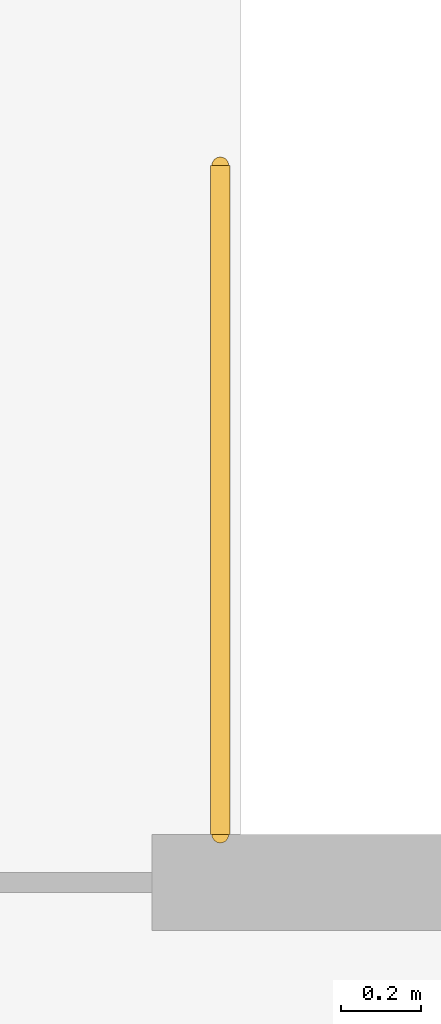
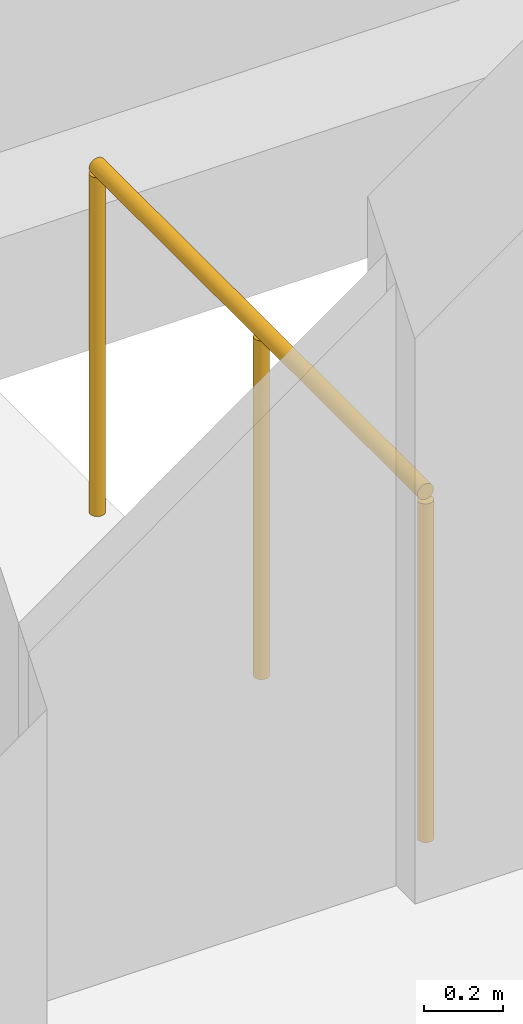
# One storey, part 132 of 132: 1 railing.
"""IFC4 building model written with IfcOpenShell, lengths in metres."""

from ifc_helpers import new_model, si_unit, direction, frame, origin, origin_2d, place, context, subcontext, project, spatial, circle, extrude, material, type_object, element, save


model = new_model("IFC4")

# Units and contexts
model_context = context("Model", 3, precision=1e-05, world=origin(), true_north=direction((0.0, 1.0)))
body_context = subcontext(model_context, "Body", "Model", "MODEL_VIEW")
ifc_project = project(units=[si_unit("LENGTHUNIT", "METRE"), si_unit("AREAUNIT", "SQUARE_METRE"), si_unit("VOLUMEUNIT", "CUBIC_METRE"), si_unit("PLANEANGLEUNIT", "RADIAN"), si_unit("MASSUNIT", "GRAM", prefix="KILO")], contexts=[model_context])

# Site, building, storey
site_placement = place(None, origin())
site = spatial("IfcSite", under=ifc_project, at=site_placement, CompositionType="ELEMENT")
building_placement = place(site_placement, origin())
building = spatial("IfcBuilding", under=site, at=building_placement, Name="Tharagai Park Tramway Depot", CompositionType="ELEMENT")
storey_placement = place(building_placement, frame((0.0, 0.0, 4.800048828125)))
storey = spatial("IfcBuildingStorey", under=building, at=storey_placement, Name="L01", CompositionType="ELEMENT", Elevation=4.800048828125)

# Railing
ifc_material = material(Name="Galvanised steel", Category="steel")
railing_type = type_object("IfcRailingType", Name="HR-02", PredefinedType="GUARDRAIL", material=ifc_material)
railing_placement = place(storey_placement, frame((208.989990234375, 131.409912109375, 0.0)))
element("IfcRailing", 1, at=railing_placement, inside=storey, type_object=railing_type, Name="L01 ST-13 top well guard 1", PredefinedType="GUARDRAIL", context=body_context, shape_type="SweptSolid", body=[
    extrude(circle(Radius=0.02392578125, at=origin_2d()), frame((0.0, 0.0, 1.076171875), z_axis=(0.0, 1.0, 0.0), x_axis=(-1.0, 0.0, 0.0)), (0.0, 0.0, 1.0), 1.670166015625),
    extrude(circle(Radius=0.02099609375, at=origin_2d()), origin(), (0.0, 0.0, 1.0), 1.052001953125),
    extrude(circle(Radius=0.02099609375, at=origin_2d()), frame((0.0, 0.8349609375, 0.0)), (0.0, 0.0, 1.0), 1.052001953125),
    extrude(circle(Radius=0.02099609375, at=origin_2d()), frame((0.0, 1.670166015625, 0.0)), (0.0, 0.0, 1.0), 1.052001953125),
])

save(model, "model.ifc")
